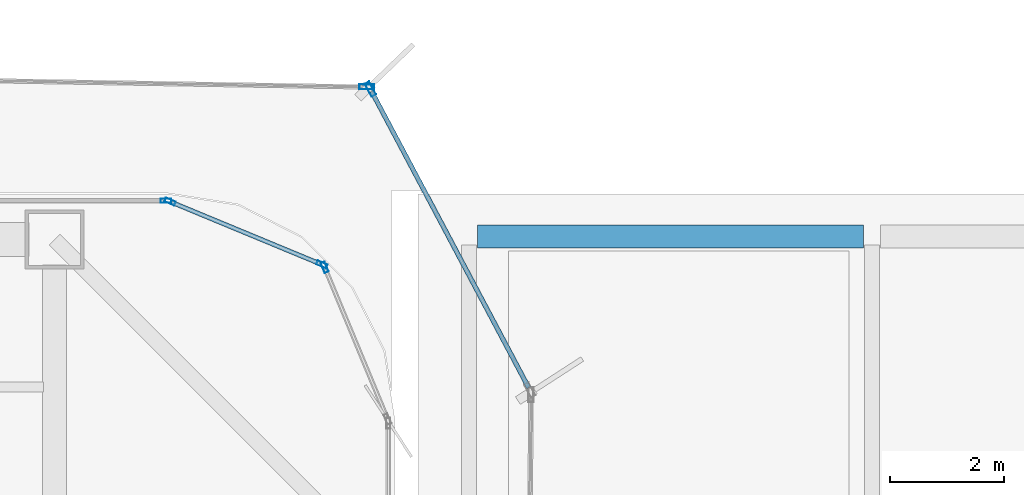
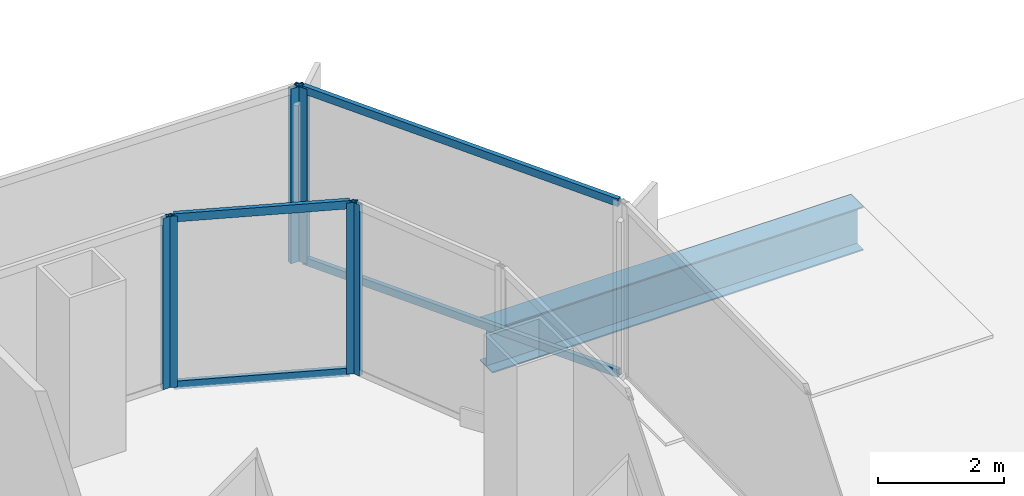
# One storey, part 20 of 27: 10 members, 1 beam, 5 elements without a shape of their own.
"""IFC4 building model written with IfcOpenShell, lengths in metres."""

import ifcopenshell
import ifcopenshell.guid

model = None  # the IFC model being written
_history = None  # IfcOwnerHistory: only IFC2X3 demands one
_inside = {}  # id of a spatial element -> (the spatial element, [elements in it])
_under = {}  # id of a project, library or spatial element -> (it, [spatial elements below it])
_declared = {}  # id of a project -> (the project, [libraries it declares])
_typed = {}  # id of a type object -> (the type object, [elements of that type])
_made_of = {}  # id of a material, layer set ... -> (it, [elements and type objects made of it])


def new_model(schema):
    """Start an empty IFC model of exactly this schema.

    Asked for "IFC4X3", IfcOpenShell would pick the latest addendum, in which some entities
    have other attributes; the version numbers below select the first issue.
    IFC2X3 requires an IfcOwnerHistory on every rooted entity: one is made here for all.
    """
    global model, _history
    if schema == "IFC4X3":
        model = ifcopenshell.file(schema_version=(4, 3, 0, 0))
    else:
        model = ifcopenshell.file(schema=schema)
    _inside.clear()
    _under.clear()
    _declared.clear()
    _typed.clear()
    _made_of.clear()
    _history = None
    if model.schema == "IFC2X3":
        org = make("IfcOrganization", Name="unknown")
        user = make(
            "IfcPersonAndOrganization",
            ThePerson=make("IfcPerson", FamilyName="unknown"),
            TheOrganization=org,
        )
        app = make(
            "IfcApplication",
            ApplicationDeveloper=org,
            Version="unknown",
            ApplicationFullName="unknown",
            ApplicationIdentifier="unknown",
        )
        _history = make(
            "IfcOwnerHistory",
            OwningUser=user,
            OwningApplication=app,
            ChangeAction="ADDED",
            CreationDate=0,
        )
    return model


def make(cls, **values):
    """One entity of the class cls with the attributes given. An attribute that is None is left unset."""
    return model.create_entity(
        cls, **{name: value for name, value in values.items() if value is not None}
    )


def rooted(cls, **values):
    """An entity with a GlobalId (a new one), such as an element, a storey or a relation."""
    return make(cls, GlobalId=ifcopenshell.guid.new(), OwnerHistory=_history, **values)


def si_unit(unit_type, name, prefix=None):
    """IfcSIUnit, for example si_unit("LENGTHUNIT", "METRE", prefix="MILLI")."""
    return make("IfcSIUnit", UnitType=unit_type, Prefix=prefix, Name=name)


def assignment(units):
    """IfcUnitAssignment: the units of a project."""
    return None if units is None else make("IfcUnitAssignment", Units=units)


def point(xyz):
    """IfcCartesianPoint."""
    return None if xyz is None else make("IfcCartesianPoint", Coordinates=xyz)


def direction(xyz):
    """IfcDirection."""
    return None if xyz is None else make("IfcDirection", DirectionRatios=xyz)


def frame(location, z_axis=None, x_axis=None):
    """IfcAxis2Placement3D, a coordinate frame: its origin and axes. An axis left out is left unset."""
    return make(
        "IfcAxis2Placement3D",
        Location=point(location),
        Axis=direction(z_axis),
        RefDirection=direction(x_axis),
    )


def frame_2d(location, x_axis=None):
    """IfcAxis2Placement2D, a coordinate frame in the plane: its origin and x axis."""
    return make(
        "IfcAxis2Placement2D", Location=point(location), RefDirection=direction(x_axis)
    )


def origin():
    """The frame at (0, 0, 0) with its axes left unset."""
    return frame((0.0, 0.0, 0.0))


def origin_2d():
    """The frame at (0, 0) in the plane with its x axis left unset."""
    return frame_2d((0.0, 0.0))


def place(relative_to, where):
    """IfcLocalPlacement: puts the frame where relative to a parent placement (None: the world)."""
    return make(
        "IfcLocalPlacement", PlacementRelTo=relative_to, RelativePlacement=where
    )


def context(
    kind, dimensions, precision=None, world=None, true_north=None, identifier=None
):
    """IfcGeometricRepresentationContext, for example the 3D "Model" context."""
    return make(
        "IfcGeometricRepresentationContext",
        ContextIdentifier=identifier,
        ContextType=kind,
        CoordinateSpaceDimension=dimensions,
        Precision=precision,
        WorldCoordinateSystem=world,
        TrueNorth=true_north,
    )


def subcontext(parent, identifier, kind, view, scale=None):
    """IfcGeometricRepresentationSubContext, for example "Body" below "Model"."""
    return make(
        "IfcGeometricRepresentationSubContext",
        ContextIdentifier=identifier,
        ContextType=kind,
        ParentContext=parent,
        TargetScale=scale,
        TargetView=view,
    )


def project(units=None, contexts=None):
    """IfcProject with its units and contexts."""
    return rooted(
        "IfcProject",
        Name="project",
        RepresentationContexts=contexts,
        UnitsInContext=assignment(units),
    )


def spatial(cls, under=None, at=None, **own):
    """A site, building, storey or space (cls), placed at a placement, below another one or the project."""
    s = rooted(cls, ObjectPlacement=at, **own)
    if under is not None:
        _under.setdefault(under.id(), (under, []))[1].append(s)
    return s


def profile(cls, at=None, kind="AREA", **sizes):
    """A parametric profile (cls). Its sizes go by their IFC names, for example OverallWidth=200.0."""
    return make(cls, ProfileType=kind, Position=at, **sizes)


def hollow_rectangle(**sizes):
    """IfcRectangleHollowProfileDef."""
    return profile("IfcRectangleHollowProfileDef", **sizes)


def i_section(**sizes):
    """IfcIShapeProfileDef."""
    return profile("IfcIShapeProfileDef", **sizes)


def extrude(swept, where, along, depth):
    """IfcExtrudedAreaSolid: the profile swept, set in the frame where, extruded along a direction by depth."""
    return make(
        "IfcExtrudedAreaSolid",
        SweptArea=swept,
        Position=where,
        ExtrudedDirection=direction(along),
        Depth=depth,
    )


def shape(context_of_items, identifier, shape_type, items):
    """IfcShapeRepresentation: the items that make up one representation, for example the "Body"."""
    return make(
        "IfcShapeRepresentation",
        ContextOfItems=context_of_items,
        RepresentationIdentifier=identifier,
        RepresentationType=shape_type,
        Items=items,
    )


def source(mapping_origin, context_of_items, identifier, shape_type, items):
    """IfcRepresentationMap: a shape defined once, which mapped items show again and again."""
    return make(
        "IfcRepresentationMap",
        MappingOrigin=mapping_origin,
        MappedRepresentation=shape(context_of_items, identifier, shape_type, items),
    )


def transform(
    local_origin,
    x_axis=None,
    y_axis=None,
    z_axis=None,
    scale=None,
    scale2=None,
    scale3=None,
    uniform=True,
):
    """IfcCartesianTransformationOperator3D, or its non-uniform kind. x_axis, y_axis, z_axis: its Axis1, 2, 3."""
    if uniform:
        return make(
            "IfcCartesianTransformationOperator3D",
            Axis1=direction(x_axis),
            Axis2=direction(y_axis),
            LocalOrigin=point(local_origin),
            Scale=scale,
            Axis3=direction(z_axis),
        )
    return make(
        "IfcCartesianTransformationOperator3DnonUniform",
        Axis1=direction(x_axis),
        Axis2=direction(y_axis),
        LocalOrigin=point(local_origin),
        Scale=scale,
        Axis3=direction(z_axis),
        Scale2=scale2,
        Scale3=scale3,
    )


def mapped(mapping_source, mapping_target):
    """IfcMappedItem: shows the shape of a source again, moved by a transform."""
    return make(
        "IfcMappedItem", MappingSource=mapping_source, MappingTarget=mapping_target
    )


def material(Name=None, Category=None):
    """IfcMaterial."""
    return make("IfcMaterial", Name=Name, Category=Category)


def layer(
    of_material, thickness, ventilated=None, Name=None, Category=None, Priority=None
):
    """IfcMaterialLayer: one layer of a wall or slab, of a material (None: an air gap)."""
    return make(
        "IfcMaterialLayer",
        Material=of_material,
        LayerThickness=thickness,
        IsVentilated=ventilated,
        Name=Name,
        Category=Category,
        Priority=Priority,
    )


def layer_set(layers, Name=None):
    """IfcMaterialLayerSet."""
    return make("IfcMaterialLayerSet", MaterialLayers=layers, LayerSetName=Name)


def material_profile(
    of_material, cross_section, Name=None, Category=None, Priority=None
):
    """IfcMaterialProfile: a cross section and its material."""
    return make(
        "IfcMaterialProfile",
        Name=Name,
        Material=of_material,
        Profile=cross_section,
        Priority=Priority,
        Category=Category,
    )


def profile_set(profiles, Name=None, composite=None):
    """IfcMaterialProfileSet."""
    return make(
        "IfcMaterialProfileSet",
        Name=Name,
        MaterialProfiles=profiles,
        CompositeProfile=composite,
    )


def made_of(thing, what):
    """Note that an element or type object is made of a material, layer set ...; save() writes the relation."""
    if what is not None:
        _made_of.setdefault(what.id(), (what, []))[1].append(thing)
    return thing


def type_object(cls, material=None, **own):
    """A type object (cls), such as IfcWallType, which elements share."""
    return made_of(rooted(cls, **own), material)


def element(
    cls,
    number,
    at=None,
    inside=None,
    cuts=None,
    type_object=None,
    material=None,
    context=None,
    identifier="Body",
    shape_type=None,
    held_by="IfcProductDefinitionShape",
    body=None,
    shapes=None,
    **own,
):
    """One element of the class cls, such as IfcWall. Its Tag is "e" and its number.

    at: its placement. inside: the storey or other place that contains it. cuts: it is an
    opening in that element (IfcRelVoidsElement). A single representation is given by context,
    identifier, shape_type and body (its items); several are given by shapes. held_by: the class
    of the entity that holds the representations. save() writes the other relations.
    """
    e = rooted(cls, Tag="e%d" % number, ObjectPlacement=at, **own)
    if body is not None:
        shapes = [shape(context, identifier, shape_type, body)]
    if shapes is not None:
        e.Representation = make(held_by, Representations=shapes)
    if inside is not None:
        _inside.setdefault(inside.id(), (inside, []))[1].append(e)
    if cuts is not None:
        rooted(
            "IfcRelVoidsElement", RelatingBuildingElement=cuts, RelatedOpeningElement=e
        )
    if type_object is not None:
        _typed.setdefault(type_object.id(), (type_object, []))[1].append(e)
    return made_of(e, material)


def aggregate(whole, parts):
    """IfcRelAggregates: a whole, such as a stair, and the parts it consists of."""
    return rooted("IfcRelAggregates", RelatingObject=whole, RelatedObjects=parts)


def save(model, path):
    """Write the relations noted so far, then the file.

    IfcRelAggregates (storeys below a building ...), IfcRelContainedInSpatialStructure (elements
    in a storey), IfcRelDefinesByType, IfcRelAssociatesMaterial and IfcRelDeclares: one each for
    every whole, place, type object, material and project.
    """
    for whole, parts in _under.values():
        aggregate(whole, parts)
    for where, things in _inside.values():
        rooted(
            "IfcRelContainedInSpatialStructure",
            RelatedElements=things,
            RelatingStructure=where,
        )
    for kind, things in _typed.values():
        rooted("IfcRelDefinesByType", RelatedObjects=things, RelatingType=kind)
    for what, things in _made_of.values():
        rooted("IfcRelAssociatesMaterial", RelatedObjects=things, RelatingMaterial=what)
    for by, libraries in _declared.values():
        rooted("IfcRelDeclares", RelatingContext=by, RelatedDefinitions=libraries)
    model.write(path)


model = new_model("IFC4")

# Units and contexts
model_context = context("Model", 3, precision=1e-05, world=origin(), true_north=direction((0.0, 1.0)))
body_context = subcontext(model_context, "Body", "Model", "MODEL_VIEW")
ifc_project = project(units=[si_unit("LENGTHUNIT", "METRE"), si_unit("AREAUNIT", "SQUARE_METRE"), si_unit("VOLUMEUNIT", "CUBIC_METRE"), si_unit("PLANEANGLEUNIT", "RADIAN"), si_unit("MASSUNIT", "GRAM", prefix="KILO")], contexts=[model_context])

# Site, building, storey
site_placement = place(None, origin())
site = spatial("IfcSite", under=ifc_project, at=site_placement, CompositionType="ELEMENT")
building_placement = place(site_placement, origin())
building = spatial("IfcBuilding", under=site, at=building_placement, Name="Kolveth Station Tower", CompositionType="ELEMENT")
storey_placement = place(building_placement, frame((0.0, 0.0, 22.5)))
storey = spatial("IfcBuildingStorey", under=building, at=storey_placement, Name="L05", CompositionType="ELEMENT", Elevation=22.5)

# Beam
ifc_material_1 = material(Name="Steel S355", Category="steel")
ifc_material_profile_1 = material_profile(ifc_material_1, i_section(OverallWidth=0.40087890625, OverallDepth=0.85107421875, WebThickness=0.01611328125, FlangeThickness=0.025390625, at=origin_2d()), Name="W840x226")
ifc_profile_set_1 = profile_set([ifc_material_profile_1], Name="Steel S355")
beam_type = type_object("IfcBeamType", Name="Beam_B2", PredefinedType="BEAM", material=ifc_profile_set_1)
shared_shape_1 = source(origin(), body_context, "Body", "SweptSolid", [
    extrude(i_section(OverallWidth=0.40087890625, OverallDepth=0.85107421875, WebThickness=0.01611328125, FlangeThickness=0.025390625, at=origin_2d()), origin(), (0.0, 0.0, 1.0), 6.800048828125),
])
beam_placement = place(storey_placement, frame((48.449951171875, 39.75, -0.7255859375), z_axis=(1.0, 0.0, 0.0), x_axis=(0.0, 1.0, 0.0)))
element("IfcBeam", 1, at=beam_placement, inside=storey, type_object=beam_type, Name="L05 Station Portal Girder SBM-L05-EW-6-1", PredefinedType="BEAM", context=body_context, shape_type="MappedRepresentation", body=[
    mapped(shared_shape_1, transform((0.0, 0.0, 0.0), x_axis=(1.0, 0.0, 0.0), y_axis=(0.0, 1.0, 0.0), z_axis=(0.0, 0.0, 1.0), scale=1.0)),
])

# Curtain wall, member
ifc_material_2 = material(Name="Aluminium 6063-T6 and low-E dark glass", Category="aluminium")
ifc_layer_1 = layer(ifc_material_2, 0.179931640625)
ifc_layer_set_1 = layer_set([ifc_layer_1], Name="Aluminium 6063-T6 and low-E dark glass")
curtain_wall_type_1 = type_object("IfcCurtainWallType", Name="CurtainWall_CW-Z1", PredefinedType="NOTDEFINED", material=ifc_layer_set_1)
curtain_wall_1_placement = place(storey_placement, origin())
curtain_wall_1 = element("IfcCurtainWall", 2, at=curtain_wall_1_placement, inside=storey, type_object=curtain_wall_type_1, Name="L05 Inner Thermal Curtain Wall 4", PredefinedType="NOTDEFINED")
ifc_material_3 = material(Name="Black anodized aluminium 6063-T6", Category="aluminium")
ifc_material_profile_2 = material_profile(ifc_material_3, hollow_rectangle(XDim=0.074951171875, YDim=0.18994140625, WallThickness=0.0048828125, at=origin_2d()), Name="ALU-75x190x5")
ifc_profile_set_2 = profile_set([ifc_material_profile_2], Name="Black anodized aluminium 6063-T6")
member_type_1 = type_object("IfcMemberType", Name="Mullion_ML1", PredefinedType="MULLION", material=ifc_profile_set_2)
shared_shape_2 = source(origin(), body_context, "Body", "SweptSolid", [
    extrude(hollow_rectangle(XDim=0.074951171875, YDim=0.18994140625, WallThickness=0.0048828125, at=origin_2d()), origin(), (0.0, 0.0, 1.0), 3.320068359375),
])
member_1_placement = place(storey_placement, frame((45.758056640625, 39.208984375, 0.0), z_axis=(0.0, 0.0, 1.0), x_axis=(-0.923883857728, -0.382672990201, 0.0)))
member_1 = element("IfcMember", 3, at=member_1_placement, type_object=member_type_1, Name="CW-Z1 mullion 2", PredefinedType="MULLION", context=body_context, shape_type="MappedRepresentation", body=[
    mapped(shared_shape_2, transform((0.0, 0.0, 0.0), x_axis=(1.0, 0.0, 0.0), y_axis=(0.0, 1.0, 0.0), z_axis=(0.0, 0.0, 1.0), scale=1.0)),
])
aggregate(curtain_wall_1, [member_1])

# Curtain wall, members
curtain_wall_2_placement = place(storey_placement, origin())
curtain_wall_2 = element("IfcCurtainWall", 4, at=curtain_wall_2_placement, inside=storey, type_object=curtain_wall_type_1, Name="L05 Inner Thermal Curtain Wall 5", PredefinedType="NOTDEFINED")
member_2_placement = place(storey_placement, frame((45.708984375, 39.258056640625, 0.0), z_axis=(0.0, 0.0, 1.0), x_axis=(-0.382672990201, -0.923883857728, 0.0)))
member_2 = element("IfcMember", 5, at=member_2_placement, type_object=member_type_1, Name="CW-Z1 mullion 1", PredefinedType="MULLION", context=body_context, shape_type="MappedRepresentation", body=[
    mapped(shared_shape_2, transform((0.0, 0.0, 0.0), x_axis=(1.0, 0.0, 0.0), y_axis=(0.0, 1.0, 0.0), z_axis=(0.0, 0.0, 1.0), scale=1.0)),
])
member_3_placement = place(storey_placement, frame((43.03466796875, 40.36572265625, 0.0), z_axis=(0.0, 0.0, 1.0), x_axis=(-0.382672990201, -0.923883857728, 0.0)))
member_3 = element("IfcMember", 6, at=member_3_placement, type_object=member_type_1, Name="CW-Z1 mullion 2", PredefinedType="MULLION", context=body_context, shape_type="MappedRepresentation", body=[
    mapped(shared_shape_2, transform((0.0, 0.0, 0.0), x_axis=(1.0, 0.0, 0.0), y_axis=(0.0, 1.0, 0.0), z_axis=(0.0, 0.0, 1.0), scale=1.0)),
])

# Curtain wall, member
curtain_wall_3_placement = place(storey_placement, origin())
curtain_wall_3 = element("IfcCurtainWall", 7, at=curtain_wall_3_placement, inside=storey, type_object=curtain_wall_type_1, Name="L05 Inner Thermal Curtain Wall 6", PredefinedType="NOTDEFINED")
member_4_placement = place(storey_placement, frame((42.96240234375, 40.3798828125, 0.0), z_axis=(0.0, 0.0, 1.0), x_axis=(0.0, -1.0, 0.0)))
member_4 = element("IfcMember", 8, at=member_4_placement, type_object=member_type_1, Name="CW-Z1 mullion 1", PredefinedType="MULLION", context=body_context, shape_type="MappedRepresentation", body=[
    mapped(shared_shape_2, transform((0.0, 0.0, 0.0), x_axis=(1.0, 0.0, 0.0), y_axis=(0.0, 1.0, 0.0), z_axis=(0.0, 0.0, 1.0), scale=1.0)),
])
aggregate(curtain_wall_3, [member_4])

# Member
ifc_material_profile_3 = material_profile(ifc_material_3, hollow_rectangle(XDim=0.074951171875, YDim=0.159912109375, WallThickness=0.0048828125, at=origin_2d()), Name="ALU-75x160x5")
ifc_profile_set_3 = profile_set([ifc_material_profile_3], Name="Black anodized aluminium 6063-T6")
member_type_2 = type_object("IfcMemberType", Name="Transom_TR1", PredefinedType="USERDEFINED", material=ifc_profile_set_3)
shared_shape_3 = source(origin(), body_context, "Body", "SweptSolid", [
    extrude(hollow_rectangle(XDim=0.074951171875, YDim=0.159912109375, WallThickness=0.0048828125, at=origin_2d()), origin(), (0.0, 0.0, 1.0), 2.819580078125),
])
member_5_placement = place(storey_placement, frame((45.67431640625, 39.272216796875, 0.03759765625), z_axis=(-0.923869084389, 0.382708655389, 0.0), x_axis=(-0.382708655389, -0.923869084389, 0.0)))
member_5 = element("IfcMember", 9, at=member_5_placement, type_object=member_type_2, Name="CW-Z1 transom 1.1", ObjectType="TRANSOM", PredefinedType="USERDEFINED", context=body_context, shape_type="MappedRepresentation", body=[
    mapped(shared_shape_3, transform((0.0, 0.0, 0.0), x_axis=(1.0, 0.0, 0.0), y_axis=(0.0, 1.0, 0.0), z_axis=(0.0, 0.0, 1.0), scale=1.0)),
])

member_6_placement = place(storey_placement, frame((45.67431640625, 39.272216796875, 3.282470703125), z_axis=(-0.923869084389, 0.382708655389, 0.0), x_axis=(-0.382708655389, -0.923869084389, 0.0)))
member_6 = element("IfcMember", 10, at=member_6_placement, type_object=member_type_2, Name="CW-Z1 transom 1.2", ObjectType="TRANSOM", PredefinedType="USERDEFINED", context=body_context, shape_type="MappedRepresentation", body=[
    mapped(shared_shape_3, transform((0.0, 0.0, 0.0), x_axis=(1.0, 0.0, 0.0), y_axis=(0.0, 1.0, 0.0), z_axis=(0.0, 0.0, 1.0), scale=1.0)),
])

aggregate(curtain_wall_2, [member_2, member_3, member_5, member_6])

# Curtain wall, member
ifc_material_4 = material(Name="Black anodized aluminium 6063-T6 and dark solar glass", Category="aluminium")
ifc_layer_2 = layer(ifc_material_4, 0.159912109375)
ifc_layer_set_2 = layer_set([ifc_layer_2], Name="Black anodized aluminium 6063-T6 and dark solar glass")
curtain_wall_type_2 = type_object("IfcCurtainWallType", Name="OUTER SKIN CW-OS", PredefinedType="NOTDEFINED", material=ifc_layer_set_2)
curtain_wall_4_placement = place(storey_placement, origin())
curtain_wall_4 = element("IfcCurtainWall", 11, at=curtain_wall_4_placement, inside=storey, type_object=curtain_wall_type_2, Name="L05 Outer Ventilated Skin Curtain Wall 3", PredefinedType="NOTDEFINED")
ifc_material_profile_4 = material_profile(ifc_material_3, hollow_rectangle(XDim=0.090087890625, YDim=0.260009765625, WallThickness=0.0048828125, at=origin_2d()), Name="ALU-90x260x5")
ifc_profile_set_4 = profile_set([ifc_material_profile_4], Name="Black anodized aluminium 6063-T6")
member_type_3 = type_object("IfcMemberType", Name="FIN MULLION ML-OS", PredefinedType="MULLION", material=ifc_profile_set_4)
shared_shape_4 = source(origin(), body_context, "Body", "SweptSolid", [
    extrude(hollow_rectangle(XDim=0.090087890625, YDim=0.260009765625, WallThickness=0.0048828125, at=origin_2d()), origin(), (0.0, 0.0, 1.0), 3.389892578125),
])
member_7_placement = place(storey_placement, frame((46.564453125, 42.347412109375, 0.0), z_axis=(0.0, 0.0, 1.0), x_axis=(-0.883526392707, -0.468381376008, 0.0)))
member_7 = element("IfcMember", 12, at=member_7_placement, type_object=member_type_3, Name="CW-OS mullion 2", PredefinedType="MULLION", context=body_context, shape_type="MappedRepresentation", body=[
    mapped(shared_shape_4, transform((0.0, 0.0, 0.0), x_axis=(1.0, 0.0, 0.0), y_axis=(0.0, 1.0, 0.0), z_axis=(0.0, 0.0, 1.0), scale=1.0)),
])

curtain_wall_5_placement = place(storey_placement, origin())
curtain_wall_5 = element("IfcCurtainWall", 13, at=curtain_wall_5_placement, inside=storey, type_object=curtain_wall_type_2, Name="L05 Outer Ventilated Skin Curtain Wall 4", PredefinedType="NOTDEFINED")
member_8_placement = place(storey_placement, frame((46.498291015625, 42.387939453125, 0.0), z_axis=(0.0, 0.0, 1.0), x_axis=(-0.016680881064, -0.999860864424, 0.0)))
member_8 = element("IfcMember", 14, at=member_8_placement, type_object=member_type_3, Name="CW-OS mullion 1", PredefinedType="MULLION", context=body_context, shape_type="MappedRepresentation", body=[
    mapped(shared_shape_4, transform((0.0, 0.0, 0.0), x_axis=(1.0, 0.0, 0.0), y_axis=(0.0, 1.0, 0.0), z_axis=(0.0, 0.0, 1.0), scale=1.0)),
])
aggregate(curtain_wall_5, [member_8])

# Member
ifc_material_profile_5 = material_profile(ifc_material_3, hollow_rectangle(XDim=0.080078125, YDim=0.14990234375, WallThickness=0.0048828125, at=origin_2d()), Name="ALU-80x150x5")
ifc_profile_set_5 = profile_set([ifc_material_profile_5], Name="Black anodized aluminium 6063-T6")
member_type_4 = type_object("IfcMemberType", Name="Transom_TR-OS", PredefinedType="USERDEFINED", material=ifc_profile_set_5)
shared_shape_5 = source(origin(), body_context, "Body", "SweptSolid", [
    extrude(hollow_rectangle(XDim=0.080078125, YDim=0.14990234375, WallThickness=0.0048828125, at=origin_2d()), origin(), (0.0, 0.0, 1.0), 5.90625),
])
member_9_placement = place(storey_placement, frame((49.351806640625, 37.08935546875, 0.0400390625), z_axis=(-0.468383349098, 0.883525346715, 0.0), x_axis=(-0.883525346715, -0.468383349098, 0.0)))
member_9 = element("IfcMember", 15, at=member_9_placement, type_object=member_type_4, Name="CW-OS transom 1.1", ObjectType="TRANSOM", PredefinedType="USERDEFINED", context=body_context, shape_type="MappedRepresentation", body=[
    mapped(shared_shape_5, transform((0.0, 0.0, 0.0), x_axis=(1.0, 0.0, 0.0), y_axis=(0.0, 1.0, 0.0), z_axis=(0.0, 0.0, 1.0), scale=1.0)),
])

member_10_placement = place(storey_placement, frame((49.351806640625, 37.08935546875, 3.35009765625), z_axis=(-0.468383349098, 0.883525346715, 0.0), x_axis=(-0.883525346715, -0.468383349098, 0.0)))
member_10 = element("IfcMember", 16, at=member_10_placement, type_object=member_type_4, Name="CW-OS transom 1.2", ObjectType="TRANSOM", PredefinedType="USERDEFINED", context=body_context, shape_type="MappedRepresentation", body=[
    mapped(shared_shape_5, transform((0.0, 0.0, 0.0), x_axis=(1.0, 0.0, 0.0), y_axis=(0.0, 1.0, 0.0), z_axis=(0.0, 0.0, 1.0), scale=1.0)),
])

aggregate(curtain_wall_4, [member_7, member_9, member_10])

save(model, "model.ifc")
